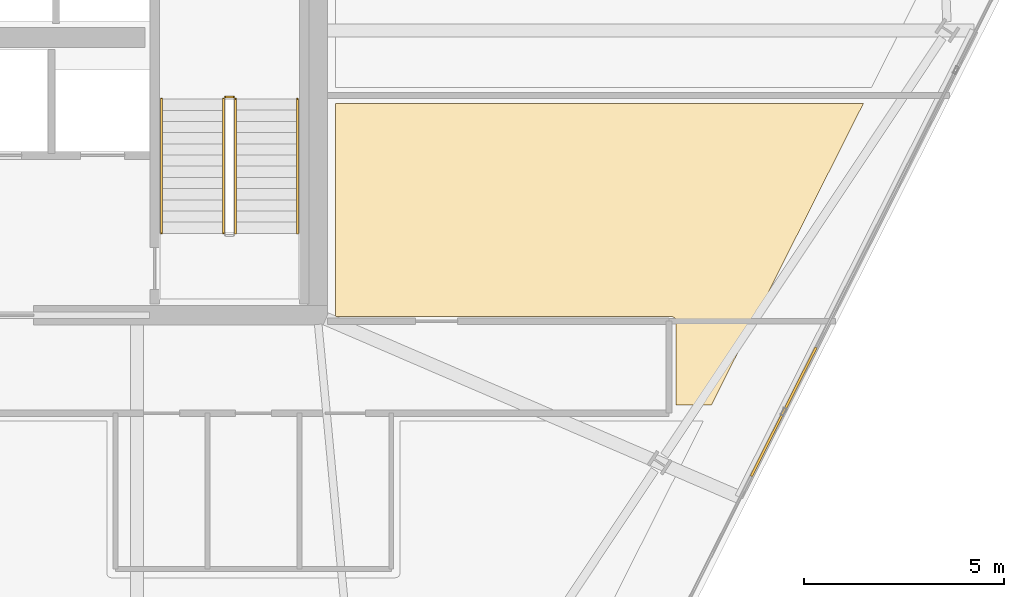
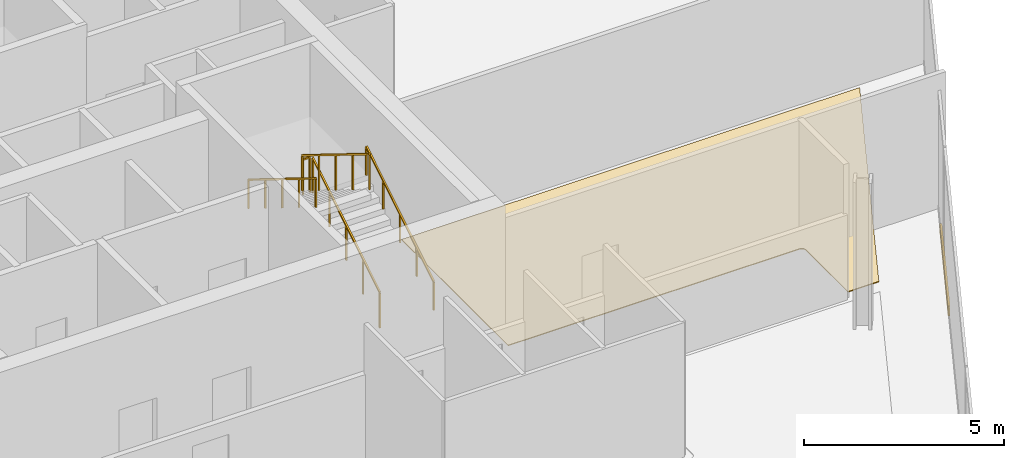
# One storey, part 25 of 27: 5 railings, 2 coverings.
"""IFC4 building model written with IfcOpenShell, lengths in metres."""

from ifc_helpers import new_model, si_unit, direction, frame, origin, origin_2d, place, context, subcontext, project, spatial, polyline, rectangle, outline, extrude, source, transform, mapped, material, layer, layer_set, type_object, element, save


model = new_model("IFC4")

# Units and contexts
model_context = context("Model", 3, precision=1e-05, world=origin(), true_north=direction((0.0, 1.0)))
body_context = subcontext(model_context, "Body", "Model", "MODEL_VIEW")
ifc_project = project(units=[si_unit("LENGTHUNIT", "METRE"), si_unit("AREAUNIT", "SQUARE_METRE"), si_unit("VOLUMEUNIT", "CUBIC_METRE"), si_unit("PLANEANGLEUNIT", "RADIAN"), si_unit("MASSUNIT", "GRAM", prefix="KILO")], contexts=[model_context])

# Site, building, storey
site_placement = place(None, origin())
site = spatial("IfcSite", under=ifc_project, at=site_placement, CompositionType="ELEMENT")
building_placement = place(site_placement, origin())
building = spatial("IfcBuilding", under=site, at=building_placement, Name="Haldenkirk Collegiate Tower", CompositionType="ELEMENT")
storey_placement = place(building_placement, frame((0.0, 0.0, 239.699951171875)))
storey = spatial("IfcBuildingStorey", under=building, at=storey_placement, Name="L60", CompositionType="ELEMENT", Elevation=239.699951171875)

# Covering
ifc_material_1 = material(Name="Polished collegiate terrazzo", Category="concrete")
ifc_layer_1 = layer(ifc_material_1, 0.02490234375)
ifc_layer_set_1 = layer_set([ifc_layer_1], Name="Polished collegiate terrazzo")
covering_type_1 = type_object("IfcCoveringType", Name="COV-FLOOR-TERRAZZO", PredefinedType="FLOORING", material=ifc_layer_set_1)
covering_1_placement = place(storey_placement, origin())
element("IfcCovering", 1, at=covering_1_placement, inside=storey, type_object=covering_type_1, Name="L60 academic room finish 10", PredefinedType="FLOORING", context=body_context, shape_type="SweptSolid", body=[
    extrude(outline(polyline([(45.449951171875, 17.969970703125), (45.449951171875, 23.300048828125), (58.665283203125, 23.300048828125), (54.85986328125, 15.75), (53.969970703125, 15.75), (53.969970703125, 17.85009765625), (53.969482421875, 17.86181640625), (53.9677734375, 17.873291015625), (53.96484375, 17.884765625), (53.9609375, 17.89599609375), (53.955810546875, 17.906494140625), (53.94970703125, 17.916748046875), (53.94287109375, 17.926025390625), (53.934814453125, 17.934814453125), (53.926025390625, 17.94287109375), (53.916748046875, 17.94970703125), (53.906494140625, 17.955810546875), (53.89599609375, 17.9609375), (53.884765625, 17.96484375), (53.873291015625, 17.9677734375), (53.86181640625, 17.969482421875), (53.85009765625, 17.969970703125), (45.449951171875, 17.969970703125)])), origin(), (0.0, 0.0, 1.0), 0.025146484375),
])

# Railings
ifc_material_2 = material(Name="Painted architectural tubular steel", Category="steel")
railing_type_1 = type_object("IfcRailingType", Name="RLG-STAIR-GUARD-1100", PredefinedType="BALUSTRADE", material=ifc_material_2)
railing_1_placement = place(storey_placement, frame((42.949951171875, 20.050048828125, 0.173095703125)))
element("IfcRailing", 2, at=railing_1_placement, inside=storey, type_object=railing_type_1, Name="L60 ST-2 stair guard 1", PredefinedType="BALUSTRADE", context=body_context, shape_type="SweptSolid", body=[
    extrude(rectangle(XDim=0.048095703125, YDim=0.048095703125, at=origin_2d()), frame((0.0, 0.0, 1.076171875), z_axis=(0.0, 0.850606129759, 0.525803396734), x_axis=(-1.0, 0.0, 0.0)), (0.0, 0.0, 1.0), 3.949951171875),
    extrude(rectangle(XDim=0.0419921875, YDim=0.0419921875, at=origin_2d()), origin(), (0.0, 0.0, 1.0), 1.052001953125),
    extrude(rectangle(XDim=0.0419921875, YDim=0.0419921875, at=origin_2d()), frame((0.0, 0.83984375, 0.519287109375)), (0.0, 0.0, 1.0), 1.052001953125),
    extrude(rectangle(XDim=0.0419921875, YDim=0.0419921875, at=origin_2d()), frame((0.0, 1.679931640625, 1.03857421875)), (0.0, 0.0, 1.0), 1.052001953125),
    extrude(rectangle(XDim=0.0419921875, YDim=0.0419921875, at=origin_2d()), frame((0.0, 2.52001953125, 1.5576171875)), (0.0, 0.0, 1.0), 1.052001953125),
    extrude(rectangle(XDim=0.0419921875, YDim=0.0419921875, at=origin_2d()), frame((0.0, 3.35986328125, 2.076904296875)), (0.0, 0.0, 1.0), 1.052001953125),
])
railing_2_placement = place(storey_placement, frame((42.89990234375, 23.4599609375, 2.25)))
element("IfcRailing", 3, at=railing_2_placement, inside=storey, type_object=railing_type_1, Name="L60 ST-2 stair guard 2", PredefinedType="BALUSTRADE", context=body_context, shape_type="SweptSolid", body=[
    extrude(rectangle(XDim=0.048095703125, YDim=0.048095703125, at=origin_2d()), frame((0.0, 0.0, 1.076171875), z_axis=(-1.0, 0.0, 0.0), x_axis=(0.0, -1.0, 0.0)), (0.0, 0.0, 1.0), 0.199951171875),
    extrude(rectangle(XDim=0.0419921875, YDim=0.0419921875, at=origin_2d()), origin(), (0.0, 0.0, 1.0), 1.052001953125),
    extrude(rectangle(XDim=0.0419921875, YDim=0.0419921875, at=origin_2d()), frame((-0.199951171875, 0.0, 0.0)), (0.0, 0.0, 1.0), 1.052001953125),
])
railing_3_placement = place(storey_placement, frame((42.64990234375, 23.409912109375, 2.423095703125)))
element("IfcRailing", 4, at=railing_3_placement, inside=storey, type_object=railing_type_1, Name="L60 ST-2 stair guard 3", PredefinedType="BALUSTRADE", context=body_context, shape_type="SweptSolid", body=[
    extrude(rectangle(XDim=0.048095703125, YDim=0.048095703125, at=origin_2d()), frame((0.0, 0.0, 1.076171875), z_axis=(0.0, -0.850606129759, 0.525803396734), x_axis=(1.0, 0.0, 0.0)), (0.0, 0.0, 1.0), 3.949951171875),
    extrude(rectangle(XDim=0.0419921875, YDim=0.0419921875, at=origin_2d()), origin(), (0.0, 0.0, 1.0), 1.052001953125),
    extrude(rectangle(XDim=0.0419921875, YDim=0.0419921875, at=origin_2d()), frame((0.0, -0.83984375, 0.519287109375)), (0.0, 0.0, 1.0), 1.052001953125),
    extrude(rectangle(XDim=0.0419921875, YDim=0.0419921875, at=origin_2d()), frame((0.0, -1.679931640625, 1.03857421875)), (0.0, 0.0, 1.0), 1.052001953125),
    extrude(rectangle(XDim=0.0419921875, YDim=0.0419921875, at=origin_2d()), frame((0.0, -2.52001953125, 1.5576171875)), (0.0, 0.0, 1.0), 1.052001953125),
    extrude(rectangle(XDim=0.0419921875, YDim=0.0419921875, at=origin_2d()), frame((0.0, -3.35986328125, 2.076904296875)), (0.0, 0.0, 1.0), 1.052001953125),
])
railing_type_2 = type_object("IfcRailingType", Name="RLG-STAIR-HANDRAIL-900", PredefinedType="HANDRAIL", material=ifc_material_2)
railing_4_placement = place(storey_placement, frame((44.5, 20.050048828125, 0.173095703125)))
element("IfcRailing", 5, at=railing_4_placement, inside=storey, type_object=railing_type_2, Name="L60 ST-2 stair handrail 1", PredefinedType="HANDRAIL", context=body_context, shape_type="SweptSolid", body=[
    extrude(rectangle(XDim=0.048095703125, YDim=0.048095703125, at=origin_2d()), frame((0.0, 0.0, 0.8759765625), z_axis=(0.0, 0.850606129759, 0.525803396734), x_axis=(-1.0, 0.0, 0.0)), (0.0, 0.0, 1.0), 3.949951171875),
    extrude(rectangle(XDim=0.0419921875, YDim=0.0419921875, at=origin_2d()), origin(), (0.0, 0.0, 1.0), 0.851806640625),
    extrude(rectangle(XDim=0.0419921875, YDim=0.0419921875, at=origin_2d()), frame((0.0, 0.83984375, 0.519287109375)), (0.0, 0.0, 1.0), 0.851806640625),
    extrude(rectangle(XDim=0.0419921875, YDim=0.0419921875, at=origin_2d()), frame((0.0, 1.679931640625, 1.03857421875)), (0.0, 0.0, 1.0), 0.851806640625),
    extrude(rectangle(XDim=0.0419921875, YDim=0.0419921875, at=origin_2d()), frame((0.0, 2.52001953125, 1.5576171875)), (0.0, 0.0, 1.0), 0.851806640625),
    extrude(rectangle(XDim=0.0419921875, YDim=0.0419921875, at=origin_2d()), frame((0.0, 3.35986328125, 2.076904296875)), (0.0, 0.0, 1.0), 0.851806640625),
])
railing_5_placement = place(storey_placement, frame((41.10009765625, 23.409912109375, 2.423095703125)))
element("IfcRailing", 6, at=railing_5_placement, inside=storey, type_object=railing_type_2, Name="L60 ST-2 stair handrail 2", PredefinedType="HANDRAIL", context=body_context, shape_type="SweptSolid", body=[
    extrude(rectangle(XDim=0.048095703125, YDim=0.048095703125, at=origin_2d()), frame((0.0, 0.0, 0.8759765625), z_axis=(0.0, -0.850606129759, 0.525803396734), x_axis=(1.0, 0.0, 0.0)), (0.0, 0.0, 1.0), 3.949951171875),
    extrude(rectangle(XDim=0.0419921875, YDim=0.0419921875, at=origin_2d()), origin(), (0.0, 0.0, 1.0), 0.851806640625),
    extrude(rectangle(XDim=0.0419921875, YDim=0.0419921875, at=origin_2d()), frame((0.0, -0.83984375, 0.519287109375)), (0.0, 0.0, 1.0), 0.851806640625),
    extrude(rectangle(XDim=0.0419921875, YDim=0.0419921875, at=origin_2d()), frame((0.0, -1.679931640625, 1.03857421875)), (0.0, 0.0, 1.0), 0.851806640625),
    extrude(rectangle(XDim=0.0419921875, YDim=0.0419921875, at=origin_2d()), frame((0.0, -2.52001953125, 1.5576171875)), (0.0, 0.0, 1.0), 0.851806640625),
    extrude(rectangle(XDim=0.0419921875, YDim=0.0419921875, at=origin_2d()), frame((0.0, -3.35986328125, 2.076904296875)), (0.0, 0.0, 1.0), 0.851806640625),
])

# Covering
ifc_material_3 = material(Name="Anodised architectural bronze aluminium", Category="aluminium")
ifc_layer_2 = layer(ifc_material_3, 0.06005859375)
ifc_layer_set_2 = layer_set([ifc_layer_2], Name="Anodised architectural bronze aluminium")
covering_type_2 = type_object("IfcCoveringType", Name="COV-CLAD-BRONZE-60", PredefinedType="CLADDING", material=ifc_layer_set_2)
shared_shape = source(origin(), body_context, "Body", "SweptSolid", [
    extrude(rectangle(XDim=3.60009765625, YDim=0.06005859375, at=origin_2d()), origin(), (0.0, 0.0, 1.0), 0.300048828125),
])
covering_2_placement = place(storey_placement, frame((56.668212890625, 15.58251953125, -0.2998046875), z_axis=(0.0, 0.0, 1.0), x_axis=(-0.450098441037, -0.892978943411, 0.0)))
element("IfcCovering", 7, at=covering_2_placement, inside=storey, type_object=covering_type_2, Name="L60 architectural bronze spandrel cladding S", PredefinedType="CLADDING", context=body_context, shape_type="MappedRepresentation", body=[
    mapped(shared_shape, transform((0.0, 0.0, 0.0), x_axis=(1.0, 0.0, 0.0), y_axis=(0.0, 1.0, 0.0), z_axis=(0.0, 0.0, 1.0), scale=1.0)),
])

save(model, "model.ifc")
